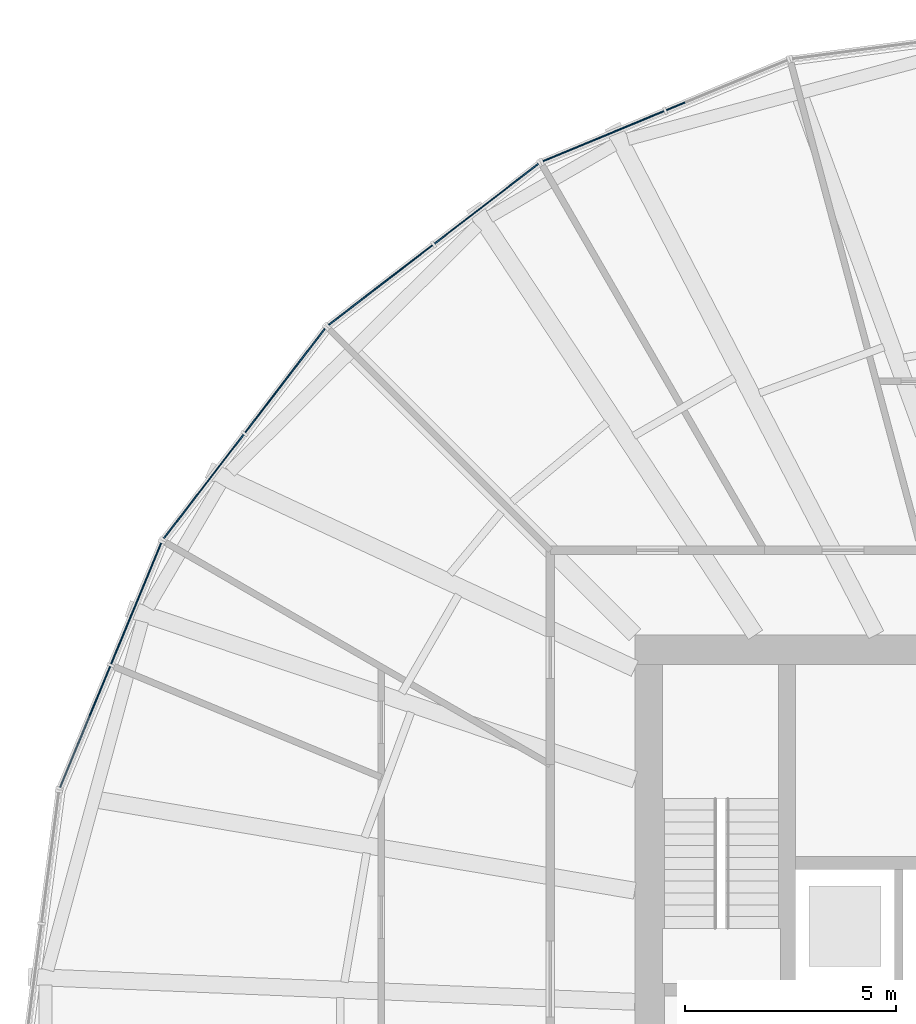
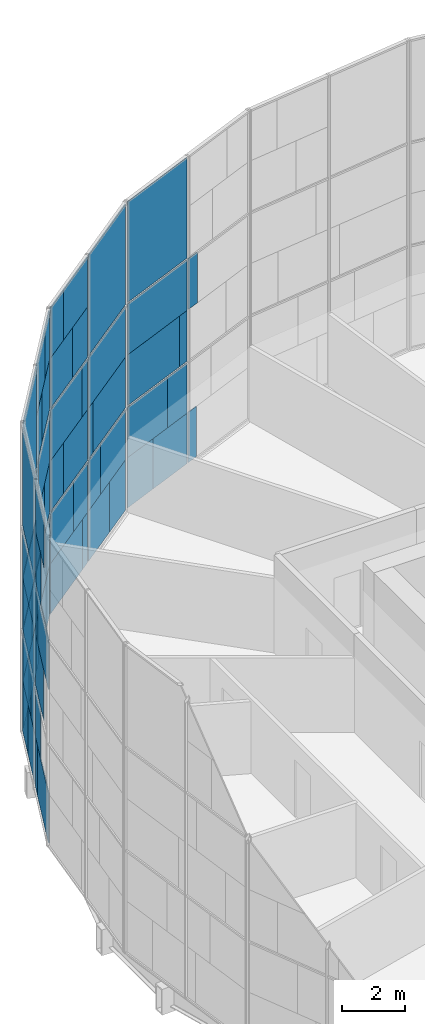
# One storey, part 15 of 22: 66 plates, 4 elements without a shape of their own.
"""IFC4 building model written with IfcOpenShell, lengths in metres."""

import ifcopenshell
import ifcopenshell.guid

model = None  # the IFC model being written
_history = None  # IfcOwnerHistory: only IFC2X3 demands one
_inside = {}  # id of a spatial element -> (the spatial element, [elements in it])
_under = {}  # id of a project, library or spatial element -> (it, [spatial elements below it])
_declared = {}  # id of a project -> (the project, [libraries it declares])
_typed = {}  # id of a type object -> (the type object, [elements of that type])
_made_of = {}  # id of a material, layer set ... -> (it, [elements and type objects made of it])


def new_model(schema):
    """Start an empty IFC model of exactly this schema.

    Asked for "IFC4X3", IfcOpenShell would pick the latest addendum, in which some entities
    have other attributes; the version numbers below select the first issue.
    IFC2X3 requires an IfcOwnerHistory on every rooted entity: one is made here for all.
    """
    global model, _history
    if schema == "IFC4X3":
        model = ifcopenshell.file(schema_version=(4, 3, 0, 0))
    else:
        model = ifcopenshell.file(schema=schema)
    _inside.clear()
    _under.clear()
    _declared.clear()
    _typed.clear()
    _made_of.clear()
    _history = None
    if model.schema == "IFC2X3":
        org = make("IfcOrganization", Name="unknown")
        user = make(
            "IfcPersonAndOrganization",
            ThePerson=make("IfcPerson", FamilyName="unknown"),
            TheOrganization=org,
        )
        app = make(
            "IfcApplication",
            ApplicationDeveloper=org,
            Version="unknown",
            ApplicationFullName="unknown",
            ApplicationIdentifier="unknown",
        )
        _history = make(
            "IfcOwnerHistory",
            OwningUser=user,
            OwningApplication=app,
            ChangeAction="ADDED",
            CreationDate=0,
        )
    return model


def make(cls, **values):
    """One entity of the class cls with the attributes given. An attribute that is None is left unset."""
    return model.create_entity(
        cls, **{name: value for name, value in values.items() if value is not None}
    )


def rooted(cls, **values):
    """An entity with a GlobalId (a new one), such as an element, a storey or a relation."""
    return make(cls, GlobalId=ifcopenshell.guid.new(), OwnerHistory=_history, **values)


def si_unit(unit_type, name, prefix=None):
    """IfcSIUnit, for example si_unit("LENGTHUNIT", "METRE", prefix="MILLI")."""
    return make("IfcSIUnit", UnitType=unit_type, Prefix=prefix, Name=name)


def assignment(units):
    """IfcUnitAssignment: the units of a project."""
    return None if units is None else make("IfcUnitAssignment", Units=units)


def point(xyz):
    """IfcCartesianPoint."""
    return None if xyz is None else make("IfcCartesianPoint", Coordinates=xyz)


def direction(xyz):
    """IfcDirection."""
    return None if xyz is None else make("IfcDirection", DirectionRatios=xyz)


def frame(location, z_axis=None, x_axis=None):
    """IfcAxis2Placement3D, a coordinate frame: its origin and axes. An axis left out is left unset."""
    return make(
        "IfcAxis2Placement3D",
        Location=point(location),
        Axis=direction(z_axis),
        RefDirection=direction(x_axis),
    )


def frame_2d(location, x_axis=None):
    """IfcAxis2Placement2D, a coordinate frame in the plane: its origin and x axis."""
    return make(
        "IfcAxis2Placement2D", Location=point(location), RefDirection=direction(x_axis)
    )


def origin():
    """The frame at (0, 0, 0) with its axes left unset."""
    return frame((0.0, 0.0, 0.0))


def origin_2d():
    """The frame at (0, 0) in the plane with its x axis left unset."""
    return frame_2d((0.0, 0.0))


def place(relative_to, where):
    """IfcLocalPlacement: puts the frame where relative to a parent placement (None: the world)."""
    return make(
        "IfcLocalPlacement", PlacementRelTo=relative_to, RelativePlacement=where
    )


def context(
    kind, dimensions, precision=None, world=None, true_north=None, identifier=None
):
    """IfcGeometricRepresentationContext, for example the 3D "Model" context."""
    return make(
        "IfcGeometricRepresentationContext",
        ContextIdentifier=identifier,
        ContextType=kind,
        CoordinateSpaceDimension=dimensions,
        Precision=precision,
        WorldCoordinateSystem=world,
        TrueNorth=true_north,
    )


def subcontext(parent, identifier, kind, view, scale=None):
    """IfcGeometricRepresentationSubContext, for example "Body" below "Model"."""
    return make(
        "IfcGeometricRepresentationSubContext",
        ContextIdentifier=identifier,
        ContextType=kind,
        ParentContext=parent,
        TargetScale=scale,
        TargetView=view,
    )


def project(units=None, contexts=None):
    """IfcProject with its units and contexts."""
    return rooted(
        "IfcProject",
        Name="project",
        RepresentationContexts=contexts,
        UnitsInContext=assignment(units),
    )


def spatial(cls, under=None, at=None, **own):
    """A site, building, storey or space (cls), placed at a placement, below another one or the project."""
    s = rooted(cls, ObjectPlacement=at, **own)
    if under is not None:
        _under.setdefault(under.id(), (under, []))[1].append(s)
    return s


def profile(cls, at=None, kind="AREA", **sizes):
    """A parametric profile (cls). Its sizes go by their IFC names, for example OverallWidth=200.0."""
    return make(cls, ProfileType=kind, Position=at, **sizes)


def rectangle(**sizes):
    """IfcRectangleProfileDef."""
    return profile("IfcRectangleProfileDef", **sizes)


def extrude(swept, where, along, depth):
    """IfcExtrudedAreaSolid: the profile swept, set in the frame where, extruded along a direction by depth."""
    return make(
        "IfcExtrudedAreaSolid",
        SweptArea=swept,
        Position=where,
        ExtrudedDirection=direction(along),
        Depth=depth,
    )


def shape(context_of_items, identifier, shape_type, items):
    """IfcShapeRepresentation: the items that make up one representation, for example the "Body"."""
    return make(
        "IfcShapeRepresentation",
        ContextOfItems=context_of_items,
        RepresentationIdentifier=identifier,
        RepresentationType=shape_type,
        Items=items,
    )


def material(Name=None, Category=None):
    """IfcMaterial."""
    return make("IfcMaterial", Name=Name, Category=Category)


def layer(
    of_material, thickness, ventilated=None, Name=None, Category=None, Priority=None
):
    """IfcMaterialLayer: one layer of a wall or slab, of a material (None: an air gap)."""
    return make(
        "IfcMaterialLayer",
        Material=of_material,
        LayerThickness=thickness,
        IsVentilated=ventilated,
        Name=Name,
        Category=Category,
        Priority=Priority,
    )


def layer_set(layers, Name=None):
    """IfcMaterialLayerSet."""
    return make("IfcMaterialLayerSet", MaterialLayers=layers, LayerSetName=Name)


def made_of(thing, what):
    """Note that an element or type object is made of a material, layer set ...; save() writes the relation."""
    if what is not None:
        _made_of.setdefault(what.id(), (what, []))[1].append(thing)
    return thing


def type_object(cls, material=None, **own):
    """A type object (cls), such as IfcWallType, which elements share."""
    return made_of(rooted(cls, **own), material)


def element(
    cls,
    number,
    at=None,
    inside=None,
    cuts=None,
    type_object=None,
    material=None,
    context=None,
    identifier="Body",
    shape_type=None,
    held_by="IfcProductDefinitionShape",
    body=None,
    shapes=None,
    **own,
):
    """One element of the class cls, such as IfcWall. Its Tag is "e" and its number.

    at: its placement. inside: the storey or other place that contains it. cuts: it is an
    opening in that element (IfcRelVoidsElement). A single representation is given by context,
    identifier, shape_type and body (its items); several are given by shapes. held_by: the class
    of the entity that holds the representations. save() writes the other relations.
    """
    e = rooted(cls, Tag="e%d" % number, ObjectPlacement=at, **own)
    if body is not None:
        shapes = [shape(context, identifier, shape_type, body)]
    if shapes is not None:
        e.Representation = make(held_by, Representations=shapes)
    if inside is not None:
        _inside.setdefault(inside.id(), (inside, []))[1].append(e)
    if cuts is not None:
        rooted(
            "IfcRelVoidsElement", RelatingBuildingElement=cuts, RelatedOpeningElement=e
        )
    if type_object is not None:
        _typed.setdefault(type_object.id(), (type_object, []))[1].append(e)
    return made_of(e, material)


def aggregate(whole, parts):
    """IfcRelAggregates: a whole, such as a stair, and the parts it consists of."""
    return rooted("IfcRelAggregates", RelatingObject=whole, RelatedObjects=parts)


def save(model, path):
    """Write the relations noted so far, then the file.

    IfcRelAggregates (storeys below a building ...), IfcRelContainedInSpatialStructure (elements
    in a storey), IfcRelDefinesByType, IfcRelAssociatesMaterial and IfcRelDeclares: one each for
    every whole, place, type object, material and project.
    """
    for whole, parts in _under.values():
        aggregate(whole, parts)
    for where, things in _inside.values():
        rooted(
            "IfcRelContainedInSpatialStructure",
            RelatedElements=things,
            RelatingStructure=where,
        )
    for kind, things in _typed.values():
        rooted("IfcRelDefinesByType", RelatedObjects=things, RelatingType=kind)
    for what, things in _made_of.values():
        rooted("IfcRelAssociatesMaterial", RelatedObjects=things, RelatingMaterial=what)
    for by, libraries in _declared.values():
        rooted("IfcRelDeclares", RelatingContext=by, RelatedDefinitions=libraries)
    model.write(path)


model = new_model("IFC4")

# Units and contexts
model_context = context("Model", 3, precision=1e-05, world=origin(), true_north=direction((0.0, 1.0)))
body_context = subcontext(model_context, "Body", "Model", "MODEL_VIEW")
ifc_project = project(units=[si_unit("LENGTHUNIT", "METRE"), si_unit("AREAUNIT", "SQUARE_METRE"), si_unit("VOLUMEUNIT", "CUBIC_METRE"), si_unit("PLANEANGLEUNIT", "RADIAN"), si_unit("MASSUNIT", "GRAM", prefix="KILO")], contexts=[model_context])

# Site, building, storey
site_placement = place(None, origin())
site = spatial("IfcSite", under=ifc_project, at=site_placement, CompositionType="ELEMENT")
building_placement = place(site_placement, origin())
building = spatial("IfcBuilding", under=site, at=building_placement, Name="Golbaran Civic Tower", CompositionType="ELEMENT")
storey_placement = place(building_placement, frame((0.0, 0.0, 90.0)))
storey = spatial("IfcBuildingStorey", under=building, at=storey_placement, Name="L21", CompositionType="ELEMENT", Elevation=90.0)

# Curtain wall, plates
ifc_material_1 = material(Name="Aluminium and glass", Category="aluminium")
curtain_wall_type = type_object("IfcCurtainWallType", Name="INNER SKIN CURTAIN WALL", PredefinedType="NOTDEFINED", material=ifc_material_1)
curtain_wall_1_placement = place(storey_placement, origin())
curtain_wall_1 = element("IfcCurtainWall", 1, at=curtain_wall_1_placement, inside=storey, type_object=curtain_wall_type, Name="Inner skin L21 facet 8 CW1", ObjectType="INNER SKIN", PredefinedType="USERDEFINED")
ifc_material_2 = material(Name="Clear insulating glass", Category="glass")
ifc_layer_1 = layer(ifc_material_2, 0.031982421875, Name="Clear insulating glass")
ifc_layer_set_1 = layer_set([ifc_layer_1], Name="Clear insulating glass")
plate_type_1 = type_object("IfcPlateType", Name="INNER SKIN CURTAIN WALL GLAZED PANEL", PredefinedType="CURTAIN_PANEL", material=ifc_layer_set_1)
plate_1_placement = place(storey_placement, frame((-9.032958984375, 22.50830078125, 6.0), z_axis=(0.0, 0.0, 1.0), x_axis=(-0.923879532511, -0.382683432365, 0.0)))
plate_1 = element("IfcPlate", 2, at=plate_1_placement, type_object=plate_type_1, Name="CW1 panel 1.2 part 4", PredefinedType="CURTAIN_PANEL", context=body_context, shape_type="SweptSolid", body=[
    extrude(rectangle(XDim=0.47119140625, YDim=0.031982421875, at=origin_2d()), origin(), (0.0, 0.0, 1.0), 1.967529296875),
])
plate_2_placement = place(storey_placement, frame((-11.557861328125, 21.46240234375, 0.06494140625), z_axis=(0.0, 0.0, 1.0), x_axis=(-0.923879532511, -0.382683432365, 0.0)))
plate_2 = element("IfcPlate", 3, at=plate_2_placement, type_object=plate_type_1, Name="CW1 panel 2.1 part 2", PredefinedType="CURTAIN_PANEL", context=body_context, shape_type="SweptSolid", body=[
    extrude(rectangle(XDim=1.326416015625, YDim=0.031982421875, at=origin_2d()), origin(), (0.0, 0.0, 1.0), 1.951171875),
])
plate_3_placement = place(storey_placement, frame((-11.20751953125, 21.607421875, 2.016357421875), z_axis=(0.0, 0.0, 1.0), x_axis=(-0.923879532511, -0.382683432365, 0.0)))
plate_3 = element("IfcPlate", 4, at=plate_3_placement, type_object=plate_type_1, Name="CW1 panel 2.1 part 4", PredefinedType="CURTAIN_PANEL", context=body_context, shape_type="SweptSolid", body=[
    extrude(rectangle(XDim=2.084228515625, YDim=0.031982421875, at=origin_2d()), origin(), (0.0, 0.0, 1.0), 1.951171875),
])
plate_4_placement = place(storey_placement, frame((-10.92529296875, 21.724365234375, 4.03271484375), z_axis=(0.0, 0.0, 1.0), x_axis=(-0.923879532511, -0.382683432365, 0.0)))
plate_4 = element("IfcPlate", 5, at=plate_4_placement, type_object=plate_type_1, Name="CW1 panel 2.2 part 2", PredefinedType="CURTAIN_PANEL", context=body_context, shape_type="SweptSolid", body=[
    extrude(rectangle(XDim=2.6953125, YDim=0.031982421875, at=origin_2d()), origin(), (0.0, 0.0, 1.0), 1.967529296875),
])
plate_5_placement = place(storey_placement, frame((-10.74072265625, 21.801025390625, 6.0), z_axis=(0.0, 0.0, 1.0), x_axis=(-0.923879532511, -0.382683432365, 0.0)))
plate_5 = element("IfcPlate", 6, at=plate_5_placement, type_object=plate_type_1, Name="CW1 panel 2.2 part 3", PredefinedType="CURTAIN_PANEL", context=body_context, shape_type="SweptSolid", body=[
    extrude(rectangle(XDim=3.09521484375, YDim=0.031982421875, at=origin_2d()), origin(), (0.0, 0.0, 1.0), 1.967529296875),
])
plate_6_placement = place(storey_placement, frame((-10.74072265625, 21.801025390625, 8.0322265625), z_axis=(0.0, 0.0, 1.0), x_axis=(-0.923879532511, -0.382683432365, 0.0)))
plate_6 = element("IfcPlate", 7, at=plate_6_placement, type_object=plate_type_1, Name="CW1 panel 2.3", PredefinedType="CURTAIN_PANEL", context=body_context, shape_type="SweptSolid", body=[
    extrude(rectangle(XDim=3.09521484375, YDim=0.031982421875, at=origin_2d()), origin(), (0.0, 0.0, 1.0), 3.902587890625),
])

curtain_wall_2_placement = place(storey_placement, origin())
curtain_wall_2 = element("IfcCurtainWall", 8, at=curtain_wall_2_placement, inside=storey, type_object=curtain_wall_type, Name="Inner skin L21 facet 9 CW1", ObjectType="INNER SKIN", PredefinedType="USERDEFINED")
plate_7_placement = place(storey_placement, frame((-12.80810546875, 20.74072265625, 0.06494140625), z_axis=(0.0, 0.0, 1.0), x_axis=(-0.793353340344, -0.608761428939, 0.0)))
plate_7 = element("IfcPlate", 9, at=plate_7_placement, type_object=plate_type_1, Name="CW1 panel 1.1 part 1", PredefinedType="CURTAIN_PANEL", context=body_context, shape_type="SweptSolid", body=[
    extrude(rectangle(XDim=1.325927734375, YDim=0.031982421875, at=origin_2d()), origin(), (0.0, 0.0, 1.0), 1.951171875),
])
plate_8_placement = place(storey_placement, frame((-13.108642578125, 20.510009765625, 2.016357421875), z_axis=(0.0, 0.0, 1.0), x_axis=(-0.793353340344, -0.608761428939, 0.0)))
plate_8 = element("IfcPlate", 10, at=plate_8_placement, type_object=plate_type_1, Name="CW1 panel 1.1 part 3", PredefinedType="CURTAIN_PANEL", context=body_context, shape_type="SweptSolid", body=[
    extrude(rectangle(XDim=2.083984375, YDim=0.031982421875, at=origin_2d()), origin(), (0.0, 0.0, 1.0), 1.951171875),
])
plate_9_placement = place(storey_placement, frame((-13.350830078125, 20.32421875, 4.03271484375), z_axis=(0.0, 0.0, 1.0), x_axis=(-0.793353340344, -0.608761428939, 0.0)))
plate_9 = element("IfcPlate", 11, at=plate_9_placement, type_object=plate_type_1, Name="CW1 panel 1.2 part 1", PredefinedType="CURTAIN_PANEL", context=body_context, shape_type="SweptSolid", body=[
    extrude(rectangle(XDim=2.694091796875, YDim=0.031982421875, at=origin_2d()), origin(), (0.0, 0.0, 1.0), 1.967529296875),
])
plate_10_placement = place(storey_placement, frame((-13.510009765625, 20.2021484375, 6.0), z_axis=(0.0, 0.0, 1.0), x_axis=(-0.793353340344, -0.608761428939, 0.0)))
plate_10 = element("IfcPlate", 12, at=plate_10_placement, type_object=plate_type_1, Name="CW1 panel 1.2 part 3", PredefinedType="CURTAIN_PANEL", context=body_context, shape_type="SweptSolid", body=[
    extrude(rectangle(XDim=3.09521484375, YDim=0.031982421875, at=origin_2d()), origin(), (0.0, 0.0, 1.0), 1.967529296875),
])
plate_11_placement = place(storey_placement, frame((-13.510009765625, 20.2021484375, 8.0322265625), z_axis=(0.0, 0.0, 1.0), x_axis=(-0.793353340344, -0.608761428939, 0.0)))
plate_11 = element("IfcPlate", 13, at=plate_11_placement, type_object=plate_type_1, Name="CW1 panel 1.3", PredefinedType="CURTAIN_PANEL", context=body_context, shape_type="SweptSolid", body=[
    extrude(rectangle(XDim=3.09521484375, YDim=0.031982421875, at=origin_2d()), origin(), (0.0, 0.0, 1.0), 3.902587890625),
])
plate_12_placement = place(storey_placement, frame((-16.1884765625, 18.146728515625, 0.06494140625), z_axis=(0.0, 0.0, 1.0), x_axis=(-0.793353340344, -0.608761428939, 0.0)))
plate_12 = element("IfcPlate", 14, at=plate_12_placement, type_object=plate_type_1, Name="CW1 panel 2.1 part 2", PredefinedType="CURTAIN_PANEL", context=body_context, shape_type="SweptSolid", body=[
    extrude(rectangle(XDim=2.663330078125, YDim=0.031982421875, at=origin_2d()), origin(), (0.0, 0.0, 1.0), 1.951171875),
])
plate_13_placement = place(storey_placement, frame((-16.4892578125, 17.916015625, 2.016357421875), z_axis=(0.0, 0.0, 1.0), x_axis=(-0.793353340344, -0.608761428939, 0.0)))
plate_13 = element("IfcPlate", 15, at=plate_13_placement, type_object=plate_type_1, Name="CW1 panel 2.1 part 4", PredefinedType="CURTAIN_PANEL", context=body_context, shape_type="SweptSolid", body=[
    extrude(rectangle(XDim=1.9052734375, YDim=0.031982421875, at=origin_2d()), origin(), (0.0, 0.0, 1.0), 1.951171875),
])
plate_14_placement = place(storey_placement, frame((-16.802490234375, 17.675537109375, 4.03271484375), z_axis=(0.0, 0.0, 1.0), x_axis=(-0.793353340344, -0.608761428939, 0.0)))
plate_14 = element("IfcPlate", 16, at=plate_14_placement, type_object=plate_type_1, Name="CW1 panel 2.2 part 2", PredefinedType="CURTAIN_PANEL", context=body_context, shape_type="SweptSolid", body=[
    extrude(rectangle(XDim=1.115234375, YDim=0.031982421875, at=origin_2d()), origin(), (0.0, 0.0, 1.0), 1.967529296875),
])
plate_15_placement = place(storey_placement, frame((-14.97607421875, 19.0771484375, 6.0), z_axis=(0.0, 0.0, 1.0), x_axis=(-0.793353340344, -0.608761428939, 0.0)))
plate_15 = element("IfcPlate", 17, at=plate_15_placement, type_object=plate_type_1, Name="CW1 panel 2.2 part 3", PredefinedType="CURTAIN_PANEL", context=body_context, shape_type="SweptSolid", body=[
    extrude(rectangle(XDim=0.470947265625, YDim=0.031982421875, at=origin_2d()), origin(), (0.0, 0.0, 1.0), 1.967529296875),
])
plate_16_placement = place(storey_placement, frame((-15.28955078125, 18.836669921875, 8.032470703125), z_axis=(0.0, 0.0, 1.0), x_axis=(-0.793353340344, -0.608761428939, 0.0)))
plate_16 = element("IfcPlate", 18, at=plate_16_placement, type_object=plate_type_1, Name="CW1 panel 2.3 part 1", PredefinedType="CURTAIN_PANEL", context=body_context, shape_type="SweptSolid", body=[
    extrude(rectangle(XDim=1.260986328125, YDim=0.031982421875, at=origin_2d()), origin(), (0.0, 0.0, 1.0), 1.951171875),
])
plate_17_placement = place(storey_placement, frame((-15.590576171875, 18.60546875, 9.98388671875), z_axis=(0.0, 0.0, 1.0), x_axis=(-0.793353340344, -0.608761428939, 0.0)))
plate_17 = element("IfcPlate", 19, at=plate_17_placement, type_object=plate_type_1, Name="CW1 panel 2.3 part 3", PredefinedType="CURTAIN_PANEL", context=body_context, shape_type="SweptSolid", body=[
    extrude(rectangle(XDim=2.02001953125, YDim=0.031982421875, at=origin_2d()), origin(), (0.0, 0.0, 1.0), 1.951171875),
])

curtain_wall_3_placement = place(storey_placement, origin())
curtain_wall_3 = element("IfcCurtainWall", 20, at=curtain_wall_3_placement, inside=storey, type_object=curtain_wall_type, Name="Inner skin L21 facet 10 CW1", ObjectType="INNER SKIN", PredefinedType="USERDEFINED")
plate_18_placement = place(storey_placement, frame((-18.146728515625, 16.188720703125, 0.06494140625), z_axis=(0.0, 0.0, 1.0), x_axis=(-0.608761428939, -0.793353340344, 0.0)))
plate_18 = element("IfcPlate", 21, at=plate_18_placement, type_object=plate_type_1, Name="CW1 panel 1.1 part 1", PredefinedType="CURTAIN_PANEL", context=body_context, shape_type="SweptSolid", body=[
    extrude(rectangle(XDim=2.6630859375, YDim=0.031982421875, at=origin_2d()), origin(), (0.0, 0.0, 1.0), 1.951171875),
])
plate_19_placement = place(storey_placement, frame((-17.916015625, 16.4892578125, 2.016357421875), z_axis=(0.0, 0.0, 1.0), x_axis=(-0.608761428939, -0.793353340344, 0.0)))
plate_19 = element("IfcPlate", 22, at=plate_19_placement, type_object=plate_type_1, Name="CW1 panel 1.1 part 3", PredefinedType="CURTAIN_PANEL", context=body_context, shape_type="SweptSolid", body=[
    extrude(rectangle(XDim=1.905029296875, YDim=0.031982421875, at=origin_2d()), origin(), (0.0, 0.0, 1.0), 1.951171875),
])
plate_20_placement = place(storey_placement, frame((-17.67578125, 16.80224609375, 4.03271484375), z_axis=(0.0, 0.0, 1.0), x_axis=(-0.608761428939, -0.793353340344, 0.0)))
plate_20 = element("IfcPlate", 23, at=plate_20_placement, type_object=plate_type_1, Name="CW1 panel 1.2 part 1", PredefinedType="CURTAIN_PANEL", context=body_context, shape_type="SweptSolid", body=[
    extrude(rectangle(XDim=1.115966796875, YDim=0.031982421875, at=origin_2d()), origin(), (0.0, 0.0, 1.0), 1.967529296875),
])
plate_21_placement = place(storey_placement, frame((-19.076904296875, 14.976318359375, 6.0), z_axis=(0.0, 0.0, 1.0), x_axis=(-0.608761428939, -0.793353340344, 0.0)))
plate_21 = element("IfcPlate", 24, at=plate_21_placement, type_object=plate_type_1, Name="CW1 panel 1.2 part 4", PredefinedType="CURTAIN_PANEL", context=body_context, shape_type="SweptSolid", body=[
    extrude(rectangle(XDim=0.47119140625, YDim=0.031982421875, at=origin_2d()), origin(), (0.0, 0.0, 1.0), 1.967529296875),
])
plate_22_placement = place(storey_placement, frame((-18.83642578125, 15.28955078125, 8.032470703125), z_axis=(0.0, 0.0, 1.0), x_axis=(-0.608761428939, -0.793353340344, 0.0)))
plate_22 = element("IfcPlate", 25, at=plate_22_placement, type_object=plate_type_1, Name="CW1 panel 1.3 part 2", PredefinedType="CURTAIN_PANEL", context=body_context, shape_type="SweptSolid", body=[
    extrude(rectangle(XDim=1.26123046875, YDim=0.031982421875, at=origin_2d()), origin(), (0.0, 0.0, 1.0), 1.951171875),
])
plate_23_placement = place(storey_placement, frame((-18.605712890625, 15.59033203125, 9.98388671875), z_axis=(0.0, 0.0, 1.0), x_axis=(-0.608761428939, -0.793353340344, 0.0)))
plate_23 = element("IfcPlate", 26, at=plate_23_placement, type_object=plate_type_1, Name="CW1 panel 1.3 part 4", PredefinedType="CURTAIN_PANEL", context=body_context, shape_type="SweptSolid", body=[
    extrude(rectangle(XDim=2.019287109375, YDim=0.031982421875, at=origin_2d()), origin(), (0.0, 0.0, 1.0), 1.951171875),
])
plate_24_placement = place(storey_placement, frame((-20.740478515625, 12.80810546875, 0.06494140625), z_axis=(0.0, 0.0, 1.0), x_axis=(-0.608761428939, -0.793353340344, 0.0)))
plate_24 = element("IfcPlate", 27, at=plate_24_placement, type_object=plate_type_1, Name="CW1 panel 2.1 part 2", PredefinedType="CURTAIN_PANEL", context=body_context, shape_type="SweptSolid", body=[
    extrude(rectangle(XDim=1.326416015625, YDim=0.031982421875, at=origin_2d()), origin(), (0.0, 0.0, 1.0), 1.951171875),
])
plate_25_placement = place(storey_placement, frame((-20.509765625, 13.10888671875, 2.016357421875), z_axis=(0.0, 0.0, 1.0), x_axis=(-0.608761428939, -0.793353340344, 0.0)))
plate_25 = element("IfcPlate", 28, at=plate_25_placement, type_object=plate_type_1, Name="CW1 panel 2.1 part 4", PredefinedType="CURTAIN_PANEL", context=body_context, shape_type="SweptSolid", body=[
    extrude(rectangle(XDim=2.084228515625, YDim=0.031982421875, at=origin_2d()), origin(), (0.0, 0.0, 1.0), 1.951171875),
])
plate_26_placement = place(storey_placement, frame((-20.323974609375, 13.351318359375, 4.03271484375), z_axis=(0.0, 0.0, 1.0), x_axis=(-0.608761428939, -0.793353340344, 0.0)))
plate_26 = element("IfcPlate", 29, at=plate_26_placement, type_object=plate_type_1, Name="CW1 panel 2.2 part 2", PredefinedType="CURTAIN_PANEL", context=body_context, shape_type="SweptSolid", body=[
    extrude(rectangle(XDim=2.6953125, YDim=0.031982421875, at=origin_2d()), origin(), (0.0, 0.0, 1.0), 1.967529296875),
])
plate_27_placement = place(storey_placement, frame((-20.2021484375, 13.510009765625, 6.0), z_axis=(0.0, 0.0, 1.0), x_axis=(-0.608761428939, -0.793353340344, 0.0)))
plate_27 = element("IfcPlate", 30, at=plate_27_placement, type_object=plate_type_1, Name="CW1 panel 2.2 part 3", PredefinedType="CURTAIN_PANEL", context=body_context, shape_type="SweptSolid", body=[
    extrude(rectangle(XDim=3.09521484375, YDim=0.031982421875, at=origin_2d()), origin(), (0.0, 0.0, 1.0), 1.967529296875),
])
plate_28_placement = place(storey_placement, frame((-20.2021484375, 13.510009765625, 8.0322265625), z_axis=(0.0, 0.0, 1.0), x_axis=(-0.608761428939, -0.793353340344, 0.0)))
plate_28 = element("IfcPlate", 31, at=plate_28_placement, type_object=plate_type_1, Name="CW1 panel 2.3", PredefinedType="CURTAIN_PANEL", context=body_context, shape_type="SweptSolid", body=[
    extrude(rectangle(XDim=3.09521484375, YDim=0.031982421875, at=origin_2d()), origin(), (0.0, 0.0, 1.0), 3.902587890625),
])

curtain_wall_4_placement = place(storey_placement, origin())
curtain_wall_4 = element("IfcCurtainWall", 32, at=curtain_wall_4_placement, inside=storey, type_object=curtain_wall_type, Name="Inner skin L21 facet 11 CW1", ObjectType="INNER SKIN", PredefinedType="USERDEFINED")
plate_29_placement = place(storey_placement, frame((-21.46240234375, 11.557861328125, 0.06494140625), z_axis=(0.0, 0.0, 1.0), x_axis=(-0.382683432365, -0.923879532511, 0.0)))
plate_29 = element("IfcPlate", 33, at=plate_29_placement, type_object=plate_type_1, Name="CW1 panel 1.1 part 1", PredefinedType="CURTAIN_PANEL", context=body_context, shape_type="SweptSolid", body=[
    extrude(rectangle(XDim=1.325927734375, YDim=0.031982421875, at=origin_2d()), origin(), (0.0, 0.0, 1.0), 1.951171875),
])
plate_30_placement = place(storey_placement, frame((-21.607421875, 11.207763671875, 2.016357421875), z_axis=(0.0, 0.0, 1.0), x_axis=(-0.382683432365, -0.923879532511, 0.0)))
plate_30 = element("IfcPlate", 34, at=plate_30_placement, type_object=plate_type_1, Name="CW1 panel 1.1 part 3", PredefinedType="CURTAIN_PANEL", context=body_context, shape_type="SweptSolid", body=[
    extrude(rectangle(XDim=2.083984375, YDim=0.031982421875, at=origin_2d()), origin(), (0.0, 0.0, 1.0), 1.951171875),
])
plate_31_placement = place(storey_placement, frame((-21.72412109375, 10.926025390625, 4.03271484375), z_axis=(0.0, 0.0, 1.0), x_axis=(-0.382683432365, -0.923879532511, 0.0)))
plate_31 = element("IfcPlate", 35, at=plate_31_placement, type_object=plate_type_1, Name="CW1 panel 1.2 part 1", PredefinedType="CURTAIN_PANEL", context=body_context, shape_type="SweptSolid", body=[
    extrude(rectangle(XDim=2.694091796875, YDim=0.031982421875, at=origin_2d()), origin(), (0.0, 0.0, 1.0), 1.967529296875),
])
plate_32_placement = place(storey_placement, frame((-21.801025390625, 10.74072265625, 6.0), z_axis=(0.0, 0.0, 1.0), x_axis=(-0.382683432365, -0.923879532511, 0.0)))
plate_32 = element("IfcPlate", 36, at=plate_32_placement, type_object=plate_type_1, Name="CW1 panel 1.2 part 3", PredefinedType="CURTAIN_PANEL", context=body_context, shape_type="SweptSolid", body=[
    extrude(rectangle(XDim=3.09521484375, YDim=0.031982421875, at=origin_2d()), origin(), (0.0, 0.0, 1.0), 1.967529296875),
])
plate_33_placement = place(storey_placement, frame((-21.801025390625, 10.74072265625, 8.0322265625), z_axis=(0.0, 0.0, 1.0), x_axis=(-0.382683432365, -0.923879532511, 0.0)))
plate_33 = element("IfcPlate", 37, at=plate_33_placement, type_object=plate_type_1, Name="CW1 panel 1.3", PredefinedType="CURTAIN_PANEL", context=body_context, shape_type="SweptSolid", body=[
    extrude(rectangle(XDim=3.09521484375, YDim=0.031982421875, at=origin_2d()), origin(), (0.0, 0.0, 1.0), 3.902587890625),
])
plate_34_placement = place(storey_placement, frame((-23.093017578125, 7.621337890625, 0.06494140625), z_axis=(0.0, 0.0, 1.0), x_axis=(-0.382683432365, -0.923879532511, 0.0)))
plate_34 = element("IfcPlate", 38, at=plate_34_placement, type_object=plate_type_1, Name="CW1 panel 2.1 part 2", PredefinedType="CURTAIN_PANEL", context=body_context, shape_type="SweptSolid", body=[
    extrude(rectangle(XDim=2.663330078125, YDim=0.031982421875, at=origin_2d()), origin(), (0.0, 0.0, 1.0), 1.951171875),
])
plate_35_placement = place(storey_placement, frame((-22.50830078125, 9.033203125, 6.0), z_axis=(0.0, 0.0, 1.0), x_axis=(-0.382683432365, -0.923879532511, 0.0)))
plate_35 = element("IfcPlate", 39, at=plate_35_placement, type_object=plate_type_1, Name="CW1 panel 2.2 part 3", PredefinedType="CURTAIN_PANEL", context=body_context, shape_type="SweptSolid", body=[
    extrude(rectangle(XDim=0.470947265625, YDim=0.031982421875, at=origin_2d()), origin(), (0.0, 0.0, 1.0), 1.967529296875),
])
plate_36_placement = place(storey_placement, frame((-22.659423828125, 8.668212890625, 8.032470703125), z_axis=(0.0, 0.0, 1.0), x_axis=(-0.382683432365, -0.923879532511, 0.0)))
plate_36 = element("IfcPlate", 40, at=plate_36_placement, type_object=plate_type_1, Name="CW1 panel 2.3 part 1", PredefinedType="CURTAIN_PANEL", context=body_context, shape_type="SweptSolid", body=[
    extrude(rectangle(XDim=1.260986328125, YDim=0.031982421875, at=origin_2d()), origin(), (0.0, 0.0, 1.0), 1.951171875),
])
plate_37_placement = place(storey_placement, frame((-22.8046875, 8.317626953125, 9.98388671875), z_axis=(0.0, 0.0, 1.0), x_axis=(-0.382683432365, -0.923879532511, 0.0)))
plate_37 = element("IfcPlate", 41, at=plate_37_placement, type_object=plate_type_1, Name="CW1 panel 2.3 part 3", PredefinedType="CURTAIN_PANEL", context=body_context, shape_type="SweptSolid", body=[
    extrude(rectangle(XDim=2.02001953125, YDim=0.031982421875, at=origin_2d()), origin(), (0.0, 0.0, 1.0), 1.951171875),
])

# Plate
ifc_material_3 = material(Name="Aluminium faced opaque infill panel", Category="aluminium")
ifc_layer_2 = layer(ifc_material_3, 0.031982421875, Name="Aluminium faced opaque infill panel")
ifc_layer_set_2 = layer_set([ifc_layer_2], Name="Aluminium faced opaque infill panel")
plate_type_2 = type_object("IfcPlateType", Name="INNER SKIN CURTAIN WALL OPAQUE INFILL PANEL", PredefinedType="CURTAIN_PANEL", material=ifc_layer_set_2)
plate_38_placement = place(storey_placement, frame((-9.051025390625, 22.500732421875, 0.06494140625), z_axis=(0.0, 0.0, 1.0), x_axis=(-0.923879532511, -0.382683432365, 0.0)))
plate_38 = element("IfcPlate", 42, at=plate_38_placement, type_object=plate_type_2, Name="CW1 infill panel 1.1 part 2", PredefinedType="CURTAIN_PANEL", context=body_context, shape_type="SweptSolid", body=[
    extrude(rectangle(XDim=0.432373046875, YDim=0.031982421875, at=origin_2d()), origin(), (0.0, 0.0, 1.0), 1.951171875),
])

plate_39_placement = place(storey_placement, frame((-10.1279296875, 22.0546875, 0.06494140625), z_axis=(0.0, 0.0, 1.0), x_axis=(-0.923879532511, -0.382683432365, 0.0)))
plate_39 = element("IfcPlate", 43, at=plate_39_placement, type_object=plate_type_2, Name="CW1 infill panel 2.1 part 1", PredefinedType="CURTAIN_PANEL", context=body_context, shape_type="SweptSolid", body=[
    extrude(rectangle(XDim=1.76904296875, YDim=0.031982421875, at=origin_2d()), origin(), (0.0, 0.0, 1.0), 1.951171875),
])

plate_40_placement = place(storey_placement, frame((-9.77783203125, 22.19970703125, 2.016357421875), z_axis=(0.0, 0.0, 1.0), x_axis=(-0.923879532511, -0.382683432365, 0.0)))
plate_40 = element("IfcPlate", 44, at=plate_40_placement, type_object=plate_type_2, Name="CW1 infill panel 2.1 part 3", PredefinedType="CURTAIN_PANEL", context=body_context, shape_type="SweptSolid", body=[
    extrude(rectangle(XDim=1.010986328125, YDim=0.031982421875, at=origin_2d()), origin(), (0.0, 0.0, 1.0), 1.951171875),
])

plate_41_placement = place(storey_placement, frame((-9.49560546875, 22.316650390625, 4.03271484375), z_axis=(0.0, 0.0, 1.0), x_axis=(-0.923879532511, -0.382683432365, 0.0)))
plate_41 = element("IfcPlate", 45, at=plate_41_placement, type_object=plate_type_2, Name="CW1 infill panel 2.2 part 1", PredefinedType="CURTAIN_PANEL", context=body_context, shape_type="SweptSolid", body=[
    extrude(rectangle(XDim=0.39990234375, YDim=0.031982421875, at=origin_2d()), origin(), (0.0, 0.0, 1.0), 1.967529296875),
])

aggregate(curtain_wall_1, [plate_38, plate_1, plate_39, plate_2, plate_40, plate_3, plate_41, plate_4, plate_5, plate_6])

plate_42_placement = place(storey_placement, frame((-14.035888671875, 19.798583984375, 0.06494140625), z_axis=(0.0, 0.0, 1.0), x_axis=(-0.793353340344, -0.608761428939, 0.0)))
plate_42 = element("IfcPlate", 46, at=plate_42_placement, type_object=plate_type_2, Name="CW1 infill panel 1.1 part 2", PredefinedType="CURTAIN_PANEL", context=body_context, shape_type="SweptSolid", body=[
    extrude(rectangle(XDim=1.769287109375, YDim=0.031982421875, at=origin_2d()), origin(), (0.0, 0.0, 1.0), 1.951171875),
])

plate_43_placement = place(storey_placement, frame((-14.336669921875, 19.56787109375, 2.016357421875), z_axis=(0.0, 0.0, 1.0), x_axis=(-0.793353340344, -0.608761428939, 0.0)))
plate_43 = element("IfcPlate", 47, at=plate_43_placement, type_object=plate_type_2, Name="CW1 infill panel 1.1 part 4", PredefinedType="CURTAIN_PANEL", context=body_context, shape_type="SweptSolid", body=[
    extrude(rectangle(XDim=1.01123046875, YDim=0.031982421875, at=origin_2d()), origin(), (0.0, 0.0, 1.0), 1.951171875),
])

plate_44_placement = place(storey_placement, frame((-14.57861328125, 19.382080078125, 4.03271484375), z_axis=(0.0, 0.0, 1.0), x_axis=(-0.793353340344, -0.608761428939, 0.0)))
plate_44 = element("IfcPlate", 48, at=plate_44_placement, type_object=plate_type_2, Name="CW1 infill panel 1.2 part 2", PredefinedType="CURTAIN_PANEL", context=body_context, shape_type="SweptSolid", body=[
    extrude(rectangle(XDim=0.4013671875, YDim=0.031982421875, at=origin_2d()), origin(), (0.0, 0.0, 1.0), 1.967529296875),
])

plate_45_placement = place(storey_placement, frame((-14.960693359375, 19.0888671875, 0.06494140625), z_axis=(0.0, 0.0, 1.0), x_axis=(-0.793353340344, -0.608761428939, 0.0)))
plate_45 = element("IfcPlate", 49, at=plate_45_placement, type_object=plate_type_2, Name="CW1 infill panel 2.1 part 1", PredefinedType="CURTAIN_PANEL", context=body_context, shape_type="SweptSolid", body=[
    extrude(rectangle(XDim=0.431884765625, YDim=0.031982421875, at=origin_2d()), origin(), (0.0, 0.0, 1.0), 1.951171875),
])

plate_46_placement = place(storey_placement, frame((-15.26123046875, 18.858154296875, 2.016357421875), z_axis=(0.0, 0.0, 1.0), x_axis=(-0.793353340344, -0.608761428939, 0.0)))
plate_46 = element("IfcPlate", 50, at=plate_46_placement, type_object=plate_type_2, Name="CW1 infill panel 2.1 part 3", PredefinedType="CURTAIN_PANEL", context=body_context, shape_type="SweptSolid", body=[
    extrude(rectangle(XDim=1.18994140625, YDim=0.031982421875, at=origin_2d()), origin(), (0.0, 0.0, 1.0), 1.951171875),
])

plate_47_placement = place(storey_placement, frame((-15.57470703125, 18.61767578125, 4.03271484375), z_axis=(0.0, 0.0, 1.0), x_axis=(-0.793353340344, -0.608761428939, 0.0)))
plate_47 = element("IfcPlate", 51, at=plate_47_placement, type_object=plate_type_2, Name="CW1 infill panel 2.2 part 1", PredefinedType="CURTAIN_PANEL", context=body_context, shape_type="SweptSolid", body=[
    extrude(rectangle(XDim=1.97998046875, YDim=0.031982421875, at=origin_2d()), origin(), (0.0, 0.0, 1.0), 1.967529296875),
])

plate_48_placement = place(storey_placement, frame((-16.203857421875, 18.135009765625, 6.0), z_axis=(0.0, 0.0, 1.0), x_axis=(-0.793353340344, -0.608761428939, 0.0)))
plate_48 = element("IfcPlate", 52, at=plate_48_placement, type_object=plate_type_2, Name="CW1 infill panel 2.2 part 4", PredefinedType="CURTAIN_PANEL", context=body_context, shape_type="SweptSolid", body=[
    extrude(rectangle(XDim=2.624267578125, YDim=0.031982421875, at=origin_2d()), origin(), (0.0, 0.0, 1.0), 1.967529296875),
])

plate_49_placement = place(storey_placement, frame((-16.517333984375, 17.89453125, 8.032470703125), z_axis=(0.0, 0.0, 1.0), x_axis=(-0.793353340344, -0.608761428939, 0.0)))
plate_49 = element("IfcPlate", 53, at=plate_49_placement, type_object=plate_type_2, Name="CW1 infill panel 2.3 part 2", PredefinedType="CURTAIN_PANEL", context=body_context, shape_type="SweptSolid", body=[
    extrude(rectangle(XDim=1.834228515625, YDim=0.031982421875, at=origin_2d()), origin(), (0.0, 0.0, 1.0), 1.951171875),
])

plate_50_placement = place(storey_placement, frame((-16.818359375, 17.663330078125, 9.98388671875), z_axis=(0.0, 0.0, 1.0), x_axis=(-0.793353340344, -0.608761428939, 0.0)))
plate_50 = element("IfcPlate", 54, at=plate_50_placement, type_object=plate_type_2, Name="CW1 infill panel 2.3 part 4", PredefinedType="CURTAIN_PANEL", context=body_context, shape_type="SweptSolid", body=[
    extrude(rectangle(XDim=1.0751953125, YDim=0.031982421875, at=origin_2d()), origin(), (0.0, 0.0, 1.0), 1.951171875),
])

aggregate(curtain_wall_2, [plate_7, plate_42, plate_8, plate_43, plate_9, plate_44, plate_10, plate_11, plate_45, plate_12, plate_46, plate_13, plate_47, plate_14, plate_15, plate_48, plate_16, plate_49, plate_17, plate_50])

plate_51_placement = place(storey_placement, frame((-19.0888671875, 14.960693359375, 0.06494140625), z_axis=(0.0, 0.0, 1.0), x_axis=(-0.608761428939, -0.793353340344, 0.0)))
plate_51 = element("IfcPlate", 55, at=plate_51_placement, type_object=plate_type_2, Name="CW1 infill panel 1.1 part 2", PredefinedType="CURTAIN_PANEL", context=body_context, shape_type="SweptSolid", body=[
    extrude(rectangle(XDim=0.432373046875, YDim=0.031982421875, at=origin_2d()), origin(), (0.0, 0.0, 1.0), 1.951171875),
])

plate_52_placement = place(storey_placement, frame((-18.858154296875, 15.261474609375, 2.016357421875), z_axis=(0.0, 0.0, 1.0), x_axis=(-0.608761428939, -0.793353340344, 0.0)))
plate_52 = element("IfcPlate", 56, at=plate_52_placement, type_object=plate_type_2, Name="CW1 infill panel 1.1 part 4", PredefinedType="CURTAIN_PANEL", context=body_context, shape_type="SweptSolid", body=[
    extrude(rectangle(XDim=1.190185546875, YDim=0.031982421875, at=origin_2d()), origin(), (0.0, 0.0, 1.0), 1.951171875),
])

plate_53_placement = place(storey_placement, frame((-18.617919921875, 15.574462890625, 4.03271484375), z_axis=(0.0, 0.0, 1.0), x_axis=(-0.608761428939, -0.793353340344, 0.0)))
plate_53 = element("IfcPlate", 57, at=plate_53_placement, type_object=plate_type_2, Name="CW1 infill panel 1.2 part 2", PredefinedType="CURTAIN_PANEL", context=body_context, shape_type="SweptSolid", body=[
    extrude(rectangle(XDim=1.979248046875, YDim=0.031982421875, at=origin_2d()), origin(), (0.0, 0.0, 1.0), 1.967529296875),
])

plate_54_placement = place(storey_placement, frame((-18.134765625, 16.2041015625, 6.0), z_axis=(0.0, 0.0, 1.0), x_axis=(-0.608761428939, -0.793353340344, 0.0)))
plate_54 = element("IfcPlate", 58, at=plate_54_placement, type_object=plate_type_2, Name="CW1 infill panel 1.2 part 3", PredefinedType="CURTAIN_PANEL", context=body_context, shape_type="SweptSolid", body=[
    extrude(rectangle(XDim=2.6240234375, YDim=0.031982421875, at=origin_2d()), origin(), (0.0, 0.0, 1.0), 1.967529296875),
])

plate_55_placement = place(storey_placement, frame((-17.894287109375, 16.517578125, 8.032470703125), z_axis=(0.0, 0.0, 1.0), x_axis=(-0.608761428939, -0.793353340344, 0.0)))
plate_55 = element("IfcPlate", 59, at=plate_55_placement, type_object=plate_type_2, Name="CW1 infill panel 1.3 part 1", PredefinedType="CURTAIN_PANEL", context=body_context, shape_type="SweptSolid", body=[
    extrude(rectangle(XDim=1.833984375, YDim=0.031982421875, at=origin_2d()), origin(), (0.0, 0.0, 1.0), 1.951171875),
])

plate_56_placement = place(storey_placement, frame((-17.66357421875, 16.818115234375, 9.98388671875), z_axis=(0.0, 0.0, 1.0), x_axis=(-0.608761428939, -0.793353340344, 0.0)))
plate_56 = element("IfcPlate", 60, at=plate_56_placement, type_object=plate_type_2, Name="CW1 infill panel 1.3 part 3", PredefinedType="CURTAIN_PANEL", context=body_context, shape_type="SweptSolid", body=[
    extrude(rectangle(XDim=1.075927734375, YDim=0.031982421875, at=origin_2d()), origin(), (0.0, 0.0, 1.0), 1.951171875),
])

plate_57_placement = place(storey_placement, frame((-19.79833984375, 14.0361328125, 0.06494140625), z_axis=(0.0, 0.0, 1.0), x_axis=(-0.608761428939, -0.793353340344, 0.0)))
plate_57 = element("IfcPlate", 61, at=plate_57_placement, type_object=plate_type_2, Name="CW1 infill panel 2.1 part 1", PredefinedType="CURTAIN_PANEL", context=body_context, shape_type="SweptSolid", body=[
    extrude(rectangle(XDim=1.76904296875, YDim=0.031982421875, at=origin_2d()), origin(), (0.0, 0.0, 1.0), 1.951171875),
])

plate_58_placement = place(storey_placement, frame((-19.567626953125, 14.336669921875, 2.016357421875), z_axis=(0.0, 0.0, 1.0), x_axis=(-0.608761428939, -0.793353340344, 0.0)))
plate_58 = element("IfcPlate", 62, at=plate_58_placement, type_object=plate_type_2, Name="CW1 infill panel 2.1 part 3", PredefinedType="CURTAIN_PANEL", context=body_context, shape_type="SweptSolid", body=[
    extrude(rectangle(XDim=1.010986328125, YDim=0.031982421875, at=origin_2d()), origin(), (0.0, 0.0, 1.0), 1.951171875),
])

plate_59_placement = place(storey_placement, frame((-19.3818359375, 14.5791015625, 4.03271484375), z_axis=(0.0, 0.0, 1.0), x_axis=(-0.608761428939, -0.793353340344, 0.0)))
plate_59 = element("IfcPlate", 63, at=plate_59_placement, type_object=plate_type_2, Name="CW1 infill panel 2.2 part 1", PredefinedType="CURTAIN_PANEL", context=body_context, shape_type="SweptSolid", body=[
    extrude(rectangle(XDim=0.39990234375, YDim=0.031982421875, at=origin_2d()), origin(), (0.0, 0.0, 1.0), 1.967529296875),
])

aggregate(curtain_wall_3, [plate_18, plate_51, plate_19, plate_52, plate_20, plate_53, plate_54, plate_21, plate_55, plate_22, plate_56, plate_23, plate_57, plate_24, plate_58, plate_25, plate_59, plate_26, plate_27, plate_28])

plate_60_placement = place(storey_placement, frame((-22.0546875, 10.128173828125, 0.06494140625), z_axis=(0.0, 0.0, 1.0), x_axis=(-0.382683432365, -0.923879532511, 0.0)))
plate_60 = element("IfcPlate", 64, at=plate_60_placement, type_object=plate_type_2, Name="CW1 infill panel 1.1 part 2", PredefinedType="CURTAIN_PANEL", context=body_context, shape_type="SweptSolid", body=[
    extrude(rectangle(XDim=1.769287109375, YDim=0.031982421875, at=origin_2d()), origin(), (0.0, 0.0, 1.0), 1.951171875),
])

plate_61_placement = place(storey_placement, frame((-22.19970703125, 9.77783203125, 2.016357421875), z_axis=(0.0, 0.0, 1.0), x_axis=(-0.382683432365, -0.923879532511, 0.0)))
plate_61 = element("IfcPlate", 65, at=plate_61_placement, type_object=plate_type_2, Name="CW1 infill panel 1.1 part 4", PredefinedType="CURTAIN_PANEL", context=body_context, shape_type="SweptSolid", body=[
    extrude(rectangle(XDim=1.01123046875, YDim=0.031982421875, at=origin_2d()), origin(), (0.0, 0.0, 1.0), 1.951171875),
])

plate_62_placement = place(storey_placement, frame((-22.31640625, 9.49609375, 4.03271484375), z_axis=(0.0, 0.0, 1.0), x_axis=(-0.382683432365, -0.923879532511, 0.0)))
plate_62 = element("IfcPlate", 66, at=plate_62_placement, type_object=plate_type_2, Name="CW1 infill panel 1.2 part 2", PredefinedType="CURTAIN_PANEL", context=body_context, shape_type="SweptSolid", body=[
    extrude(rectangle(XDim=0.4013671875, YDim=0.031982421875, at=origin_2d()), origin(), (0.0, 0.0, 1.0), 1.967529296875),
])

plate_63_placement = place(storey_placement, frame((-22.500732421875, 9.05126953125, 0.06494140625), z_axis=(0.0, 0.0, 1.0), x_axis=(-0.382683432365, -0.923879532511, 0.0)))
plate_63 = element("IfcPlate", 67, at=plate_63_placement, type_object=plate_type_2, Name="CW1 infill panel 2.1 part 1", PredefinedType="CURTAIN_PANEL", context=body_context, shape_type="SweptSolid", body=[
    extrude(rectangle(XDim=0.431884765625, YDim=0.031982421875, at=origin_2d()), origin(), (0.0, 0.0, 1.0), 1.951171875),
])

plate_64_placement = place(storey_placement, frame((-22.645751953125, 8.700927734375, 2.016357421875), z_axis=(0.0, 0.0, 1.0), x_axis=(-0.382683432365, -0.923879532511, 0.0)))
plate_64 = element("IfcPlate", 68, at=plate_64_placement, type_object=plate_type_2, Name="CW1 infill panel 2.1 part 3", PredefinedType="CURTAIN_PANEL", context=body_context, shape_type="SweptSolid", body=[
    extrude(rectangle(XDim=1.18994140625, YDim=0.031982421875, at=origin_2d()), origin(), (0.0, 0.0, 1.0), 1.951171875),
])

plate_65_placement = place(storey_placement, frame((-22.796875, 8.336181640625, 4.03271484375), z_axis=(0.0, 0.0, 1.0), x_axis=(-0.382683432365, -0.923879532511, 0.0)))
plate_65 = element("IfcPlate", 69, at=plate_65_placement, type_object=plate_type_2, Name="CW1 infill panel 2.2 part 1", PredefinedType="CURTAIN_PANEL", context=body_context, shape_type="SweptSolid", body=[
    extrude(rectangle(XDim=1.97998046875, YDim=0.031982421875, at=origin_2d()), origin(), (0.0, 0.0, 1.0), 1.967529296875),
])

plate_66_placement = place(storey_placement, frame((-23.1005859375, 7.603271484375, 6.0), z_axis=(0.0, 0.0, 1.0), x_axis=(-0.382683432365, -0.923879532511, 0.0)))
plate_66 = element("IfcPlate", 70, at=plate_66_placement, type_object=plate_type_2, Name="CW1 infill panel 2.2 part 4", PredefinedType="CURTAIN_PANEL", context=body_context, shape_type="SweptSolid", body=[
    extrude(rectangle(XDim=2.624267578125, YDim=0.031982421875, at=origin_2d()), origin(), (0.0, 0.0, 1.0), 1.967529296875),
])

aggregate(curtain_wall_4, [plate_29, plate_60, plate_30, plate_61, plate_31, plate_62, plate_32, plate_33, plate_63, plate_34, plate_64, plate_65, plate_35, plate_66, plate_36, plate_37])

save(model, "model.ifc")
